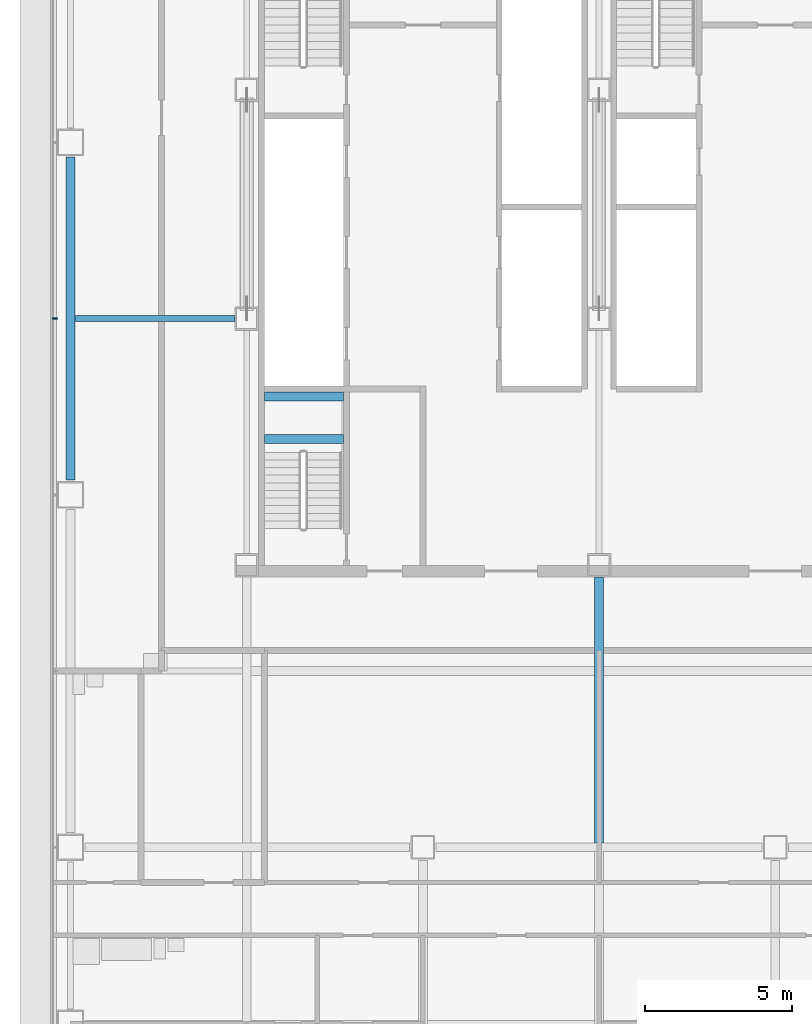
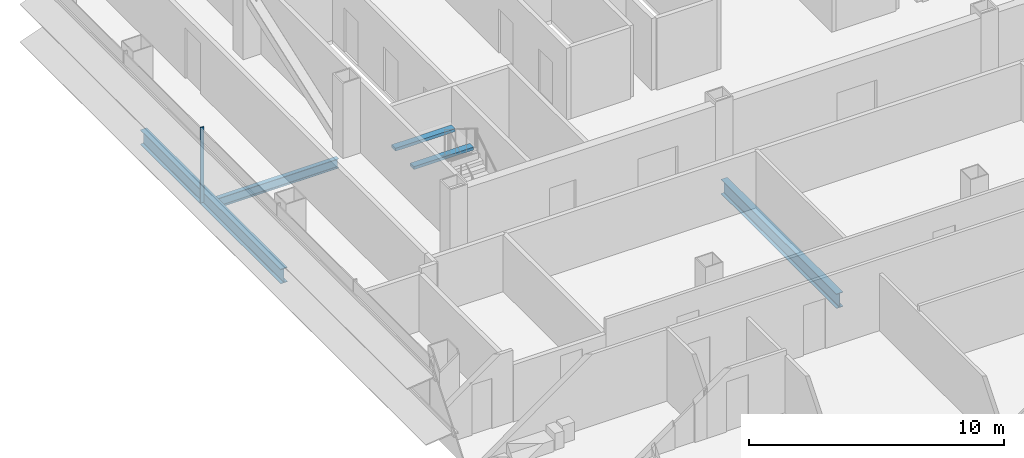
# One storey, part 6 of 27: 5 beams, 1 member, 1 element without a shape of its own.
"""IFC4 building model written with IfcOpenShell, lengths in metres."""

from ifc_helpers import new_model, si_unit, direction, frame, origin, origin_2d, place, context, subcontext, project, spatial, rectangle, i_section, extrude, material, material_profile, profile_set, type_object, element, aggregate, save


model = new_model("IFC4")

# Units and contexts
model_context = context("Model", 3, precision=1e-05, world=origin(), true_north=direction((0.0, 1.0)))
body_context = subcontext(model_context, "Body", "Model", "MODEL_VIEW")
ifc_project = project(units=[si_unit("LENGTHUNIT", "METRE"), si_unit("AREAUNIT", "SQUARE_METRE"), si_unit("VOLUMEUNIT", "CUBIC_METRE"), si_unit("PLANEANGLEUNIT", "RADIAN"), si_unit("MASSUNIT", "GRAM", prefix="KILO")], contexts=[model_context])

# Site, building, storey
site_placement = place(None, origin())
site = spatial("IfcSite", under=ifc_project, at=site_placement, CompositionType="ELEMENT")
building_placement = place(site_placement, origin())
building = spatial("IfcBuilding", under=site, at=building_placement, Name="Sorahane Residences", CompositionType="ELEMENT")
storey_placement = place(building_placement, frame((0.0, 0.0, 49.800048828125)))
storey = spatial("IfcBuildingStorey", under=building, at=storey_placement, Name="L08", CompositionType="ELEMENT", Elevation=49.800048828125)

# Curtain wall, member
ifc_material_1 = material(Name="Dark low-e glass and black anodised aluminium", Category="aluminium")
curtain_wall_type = type_object("IfcCurtainWallType", Name="Curtain wall CW-1 Typical unitised wall", PredefinedType="NOTDEFINED", material=ifc_material_1)
curtain_wall_placement = place(storey_placement, origin())
curtain_wall = element("IfcCurtainWall", 1, at=curtain_wall_placement, inside=storey, type_object=curtain_wall_type, Name="CW-1 curtain wall L08 W1", PredefinedType="NOTDEFINED")
ifc_material_2 = material(Name="Black anodised aluminium", Category="aluminium")
ifc_material_profile_1 = material_profile(ifc_material_2, rectangle(XDim=0.159912109375, YDim=0.050048828125, at=origin_2d()), Name="Curtain wall mullion CW-1 black anodised aluminium 50x160")
ifc_profile_set_1 = profile_set([ifc_material_profile_1], Name="Black anodised aluminium")
member_type = type_object("IfcMemberType", Name="Curtain wall mullion CW-1 black anodised aluminium 50x160", PredefinedType="MULLION", material=ifc_profile_set_1)
member_placement = place(storey_placement, frame((-0.5400390625, 30.0, -0.179931640625), z_axis=(0.0, 0.0, 1.0), x_axis=(-1.0, 0.0, 0.0)))
member = element("IfcMember", 2, at=member_placement, type_object=member_type, Name="CW-1 mullion L08 W1.3", PredefinedType="MULLION", context=body_context, shape_type="SweptSolid", body=[
    extrude(rectangle(XDim=0.159912109375, YDim=0.050048828125, at=origin_2d()), origin(), (0.0, 0.0, 1.0), 3.599853515625),
])
aggregate(curtain_wall, [member])

# Beams
ifc_material_3 = material(Name="Concrete C40", Category="concrete")
ifc_material_profile_2 = material_profile(ifc_material_3, rectangle(XDim=0.300048828125, YDim=0.139892578125, at=origin_2d()), Name="300x140")
ifc_profile_set_2 = profile_set([ifc_material_profile_2], Name="Concrete C40")
beam_type_1 = type_object("IfcBeamType", Name="RC landing beam 300 x 140 Concrete C40", PredefinedType="BEAM", material=ifc_profile_set_2)
for number, where, z_axis, x_axis, name in (
    (3, (6.60009765625, 25.89990234375, 1.530029296875), (1.0, 0.0, 0.0), (0.0, 1.0, 0.0), "Landing beam"),
    (4, (6.60009765625, 27.35009765625, 1.530029296875), (1.0, 0.0, 0.0), (0.0, 1.0, 0.0), "Landing beam"),
):
    element("IfcBeam", number, at=place(storey_placement, frame(where, z_axis=z_axis, x_axis=x_axis)), inside=storey, type_object=beam_type_1, Name=name, PredefinedType="BEAM", context=body_context, shape_type="SweptSolid", body=[
        extrude(rectangle(XDim=0.300048828125, YDim=0.139892578125, at=origin_2d()), origin(), (0.0, 0.0, 1.0), 2.699951171875),
    ])
ifc_material_4 = material(Name="Steel Q355B", Category="steel")
ifc_material_profile_3 = material_profile(ifc_material_4, i_section(OverallWidth=0.199951171875, OverallDepth=0.449951171875, WebThickness=0.009033203125, FlangeThickness=0.013916015625, FilletRadius=0.02001953125, at=origin_2d()), Name="HN 450x200x9x14")
ifc_profile_set_3 = profile_set([ifc_material_profile_3], Name="Steel Q355B")
beam_type_2 = type_object("IfcBeamType", Name="Steel floor beam HN 450x200x9x14 Q355B", PredefinedType="BEAM", material=ifc_profile_set_3)
beam_1_placement = place(storey_placement, frame((0.14990234375, 30.0, -0.405029296875), z_axis=(1.0, 0.0, 0.0), x_axis=(0.0, 1.0, 0.0)))
element("IfcBeam", 5, at=beam_1_placement, inside=storey, type_object=beam_type_2, Name="Beam L08 076", PredefinedType="BEAM", context=body_context, shape_type="SweptSolid", body=[
    extrude(i_section(OverallWidth=0.199951171875, OverallDepth=0.449951171875, WebThickness=0.009033203125, FlangeThickness=0.013916015625, FilletRadius=0.02001953125, at=origin_2d()), origin(), (0.0, 0.0, 1.0), 5.4501953125),
])
ifc_material_5 = material(Name="Steel Q355B", Category="steel")
ifc_material_profile_4 = material_profile(ifc_material_5, i_section(OverallWidth=0.300048828125, OverallDepth=0.699951171875, WebThickness=0.012939453125, FlangeThickness=0.02392578125, FilletRadius=0.028076171875, at=origin_2d()), Name="HN 700x300x13x24")
ifc_profile_set_4 = profile_set([ifc_material_profile_4], Name="Steel Q355B")
beam_type_3 = type_object("IfcBeamType", Name="Steel floor beam HN 700x300x13x24 Q355B", PredefinedType="BEAM", material=ifc_profile_set_4)
beam_2_placement = place(storey_placement, frame((0.0, 24.5, -0.530029296875), z_axis=(0.0, 1.0, 0.0), x_axis=(-1.0, 0.0, 0.0)))
element("IfcBeam", 6, at=beam_2_placement, inside=storey, type_object=beam_type_3, Name="Beam L08 019", PredefinedType="BEAM", context=body_context, shape_type="SweptSolid", body=[
    extrude(i_section(OverallWidth=0.300048828125, OverallDepth=0.699951171875, WebThickness=0.012939453125, FlangeThickness=0.02392578125, FilletRadius=0.028076171875, at=origin_2d()), origin(), (0.0, 0.0, 1.0), 11.0),
])
beam_3_placement = place(storey_placement, frame((18.0, 12.14990234375, -0.530029296875), z_axis=(0.0, 1.0, 0.0), x_axis=(-1.0, 0.0, 0.0)))
element("IfcBeam", 7, at=beam_3_placement, inside=storey, type_object=beam_type_3, Name="Beam L08 030", PredefinedType="BEAM", context=body_context, shape_type="SweptSolid", body=[
    extrude(i_section(OverallWidth=0.300048828125, OverallDepth=0.699951171875, WebThickness=0.012939453125, FlangeThickness=0.02392578125, FilletRadius=0.028076171875, at=origin_2d()), origin(), (0.0, 0.0, 1.0), 9.050048828125),
])

save(model, "model.ifc")
